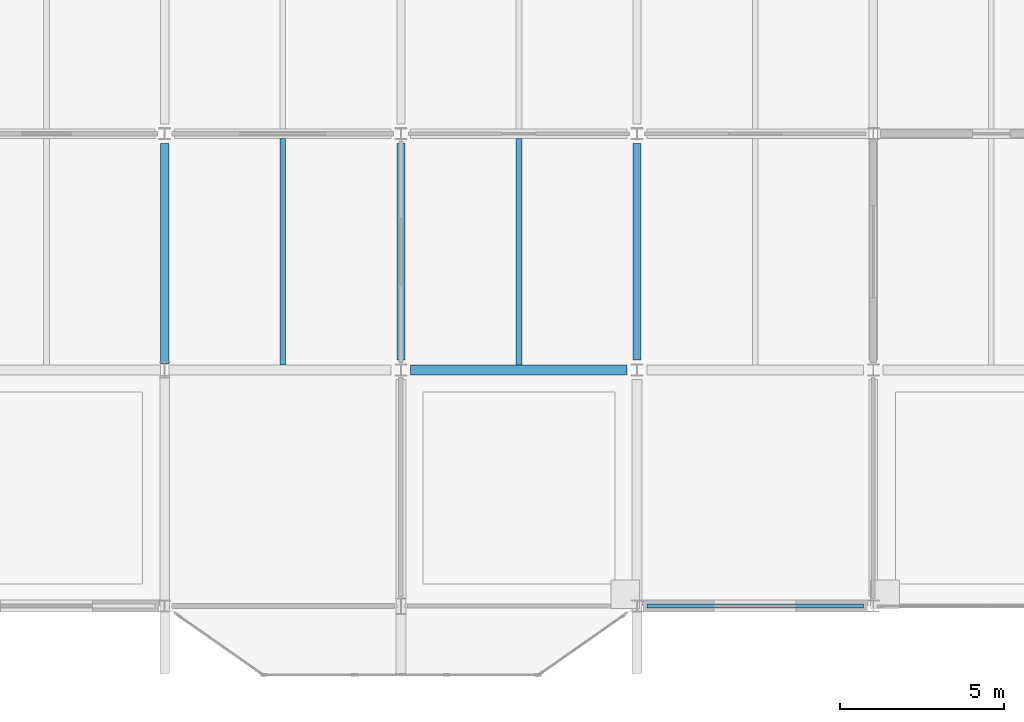
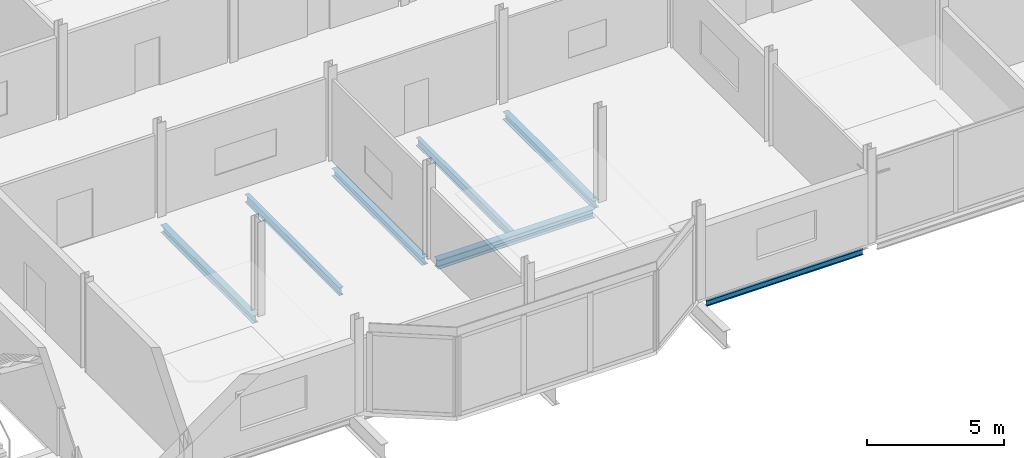
# One storey, part 10 of 26: 7 beams.
"""IFC4 building model written with IfcOpenShell, lengths in metres."""

from ifc_helpers import new_model, si_unit, direction, frame, origin, origin_2d, place, context, subcontext, project, spatial, i_section, extrude, material, material_profile, profile_set, type_object, element, save


model = new_model("IFC4")

# Units and contexts
model_context = context("Model", 3, precision=1e-05, world=origin(), true_north=direction((0.0, 1.0)))
body_context = subcontext(model_context, "Body", "Model", "MODEL_VIEW")
ifc_project = project(units=[si_unit("LENGTHUNIT", "METRE"), si_unit("AREAUNIT", "SQUARE_METRE"), si_unit("VOLUMEUNIT", "CUBIC_METRE"), si_unit("PLANEANGLEUNIT", "RADIAN"), si_unit("MASSUNIT", "GRAM", prefix="KILO")], contexts=[model_context])

# Site, building, storey
site_placement = place(None, origin())
site = spatial("IfcSite", under=ifc_project, at=site_placement, CompositionType="ELEMENT")
building_placement = place(site_placement, origin())
building = spatial("IfcBuilding", under=site, at=building_placement, Name="Vesperath Aquatics Centre", CompositionType="ELEMENT")
storey_placement = place(building_placement, frame((0.0, 0.0, 19.199951171875)))
storey = spatial("IfcBuildingStorey", under=building, at=storey_placement, Name="L04", CompositionType="ELEMENT", Elevation=19.199951171875)

# Beams
ifc_material = material(Name="Steel Q355C", Category="steel")
ifc_material_profile_1 = material_profile(ifc_material, i_section(OverallWidth=0.300048828125, OverallDepth=0.389892578125, WebThickness=0.010009765625, FlangeThickness=0.01611328125, FilletRadius=0.02197265625, at=origin_2d()), Name="HM 390x300x10x16")
ifc_profile_set_1 = profile_set([ifc_material_profile_1], Name="Steel Q355C")
beam_type_1 = type_object("IfcBeamType", Name="BM-G11", PredefinedType="BEAM", material=ifc_profile_set_1)
beam_1_placement = place(storey_placement, frame((144.300048828125, 7.199951171875, -0.43505859375), z_axis=(1.0, 0.0, 0.0), x_axis=(0.0, 1.0, 0.0)))
element("IfcBeam", 1, at=beam_1_placement, inside=storey, type_object=beam_type_1, Name="Floor Girder B11 L04 B 21-22", PredefinedType="BEAM", context=body_context, shape_type="SweptSolid", body=[
    extrude(i_section(OverallWidth=0.300048828125, OverallDepth=0.389892578125, WebThickness=0.010009765625, FlangeThickness=0.01611328125, FilletRadius=0.02197265625, at=origin_2d()), origin(), (0.0, 0.0, 1.0), 6.599853515625),
])
ifc_material_profile_2 = material_profile(ifc_material, i_section(OverallWidth=0.25, OverallDepth=0.340087890625, WebThickness=0.009033203125, FlangeThickness=0.013916015625, FilletRadius=0.02001953125, at=origin_2d()), Name="HM 340x250x9x14")
ifc_profile_set_2 = profile_set([ifc_material_profile_2], Name="Steel Q355C")
beam_type_2 = type_object("IfcBeamType", Name="BM-G12", PredefinedType="BEAM", material=ifc_profile_set_2)
beam_2_placement = place(storey_placement, frame((136.800048828125, 7.375, -0.409912109375), z_axis=(0.0, 1.0, 0.0), x_axis=(-1.0, 0.0, 0.0)))
element("IfcBeam", 2, at=beam_2_placement, inside=storey, type_object=beam_type_2, Name="Floor Girder B12 L04 20 B-C", PredefinedType="BEAM", context=body_context, shape_type="SweptSolid", body=[
    extrude(i_section(OverallWidth=0.25, OverallDepth=0.340087890625, WebThickness=0.009033203125, FlangeThickness=0.013916015625, FilletRadius=0.02001953125, at=origin_2d()), origin(), (0.0, 0.0, 1.0), 6.72509765625),
])
for number, where, z_axis, x_axis, name in (
    (3, (144.0, 7.5, -0.409912109375), (0.0, 1.0, 0.0), (-1.0, 0.0, 0.0), "Floor Girder B12 L04 21 B-C"),
    (4, (151.199951171875, 7.5, -0.409912109375), (0.0, 1.0, 0.0), (-1.0, 0.0, 0.0), "Floor Girder B12 L04 22 B-C"),
):
    element("IfcBeam", number, at=place(storey_placement, frame(where, z_axis=z_axis, x_axis=x_axis)), inside=storey, type_object=beam_type_2, Name=name, PredefinedType="BEAM", context=body_context, shape_type="SweptSolid", body=[
        extrude(i_section(OverallWidth=0.25, OverallDepth=0.340087890625, WebThickness=0.009033203125, FlangeThickness=0.013916015625, FilletRadius=0.02001953125, at=origin_2d()), origin(), (0.0, 0.0, 1.0), 6.60009765625),
    ])
ifc_material_profile_3 = material_profile(ifc_material, i_section(OverallWidth=0.175048828125, OverallDepth=0.35009765625, WebThickness=0.007080078125, FlangeThickness=0.010986328125, FilletRadius=0.012939453125, at=origin_2d()), Name="HN 350x175x7x11")
ifc_profile_set_3 = profile_set([ifc_material_profile_3], Name="Steel Q355C")
beam_type_3 = type_object("IfcBeamType", Name="BM-J05", PredefinedType="JOIST", material=ifc_profile_set_3)
for number, where, z_axis, x_axis, name in (
    (5, (140.39990234375, 7.35009765625, -0.4150390625), (0.0, 1.0, 0.0), (-1.0, 0.0, 0.0), "Secondary Floor Joist J05 L04 20/B"),
    (6, (147.60009765625, 7.35009765625, -0.4150390625), (0.0, 1.0, 0.0), (-1.0, 0.0, 0.0), "Secondary Floor Joist J05 L04 21/B"),
):
    element("IfcBeam", number, at=place(storey_placement, frame(where, z_axis=z_axis, x_axis=x_axis)), inside=storey, type_object=beam_type_3, Name=name, PredefinedType="JOIST", context=body_context, shape_type="SweptSolid", body=[
        extrude(i_section(OverallWidth=0.175048828125, OverallDepth=0.35009765625, WebThickness=0.007080078125, FlangeThickness=0.010986328125, FilletRadius=0.012939453125, at=origin_2d()), origin(), (0.0, 0.0, 1.0), 6.89990234375),
    ])
ifc_material_profile_4 = material_profile(ifc_material, i_section(OverallWidth=0.125, OverallDepth=0.25, WebThickness=0.006103515625, FlangeThickness=0.009033203125, FilletRadius=0.010009765625, at=origin_2d()), Name="HN 250x125x6x9")
ifc_profile_set_4 = profile_set([ifc_material_profile_4], Name="Steel Q355C")
beam_type_4 = type_object("IfcBeamType", Name="BM-LN01", PredefinedType="LINTEL", material=ifc_profile_set_4)
beam_3_placement = place(storey_placement, frame((151.5, 0.0, -0.364990234375), z_axis=(1.0, 0.0, 0.0), x_axis=(0.0, 1.0, 0.0)))
element("IfcBeam", 7, at=beam_3_placement, inside=storey, type_object=beam_type_4, Name="Floor Girder LN01 L04 A 22-23", PredefinedType="LINTEL", context=body_context, shape_type="SweptSolid", body=[
    extrude(i_section(OverallWidth=0.125, OverallDepth=0.25, WebThickness=0.006103515625, FlangeThickness=0.009033203125, FilletRadius=0.010009765625, at=origin_2d()), origin(), (0.0, 0.0, 1.0), 6.60009765625),
])

save(model, "model.ifc")
